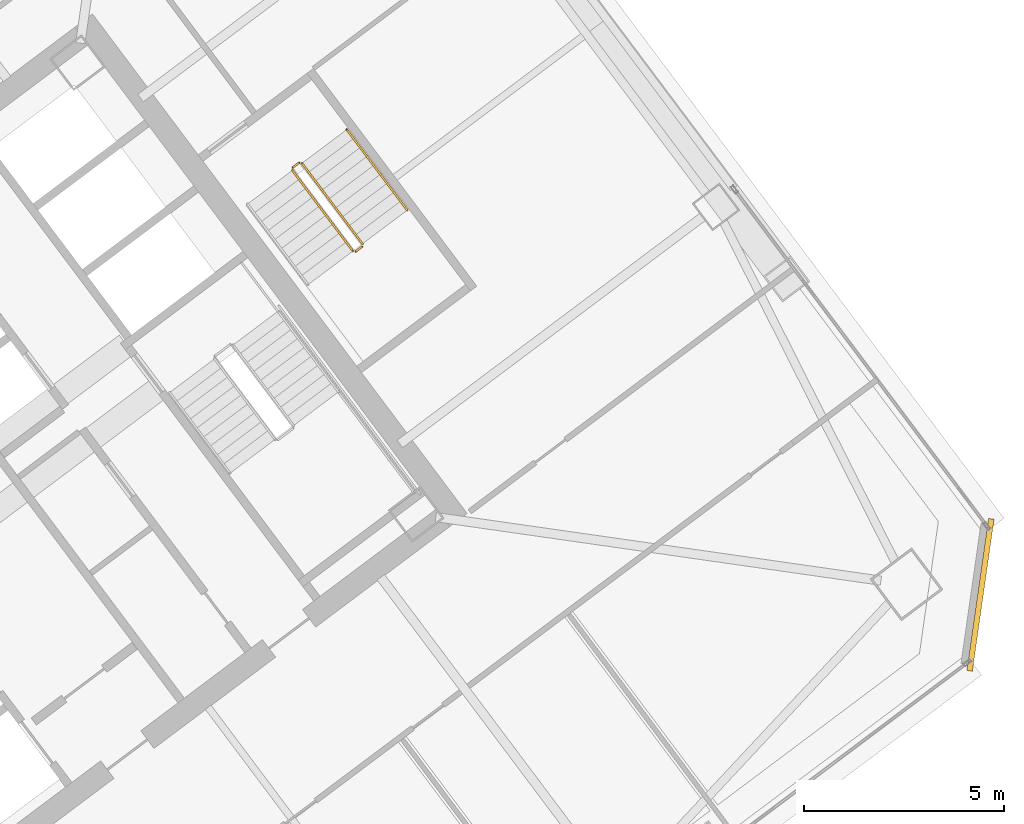
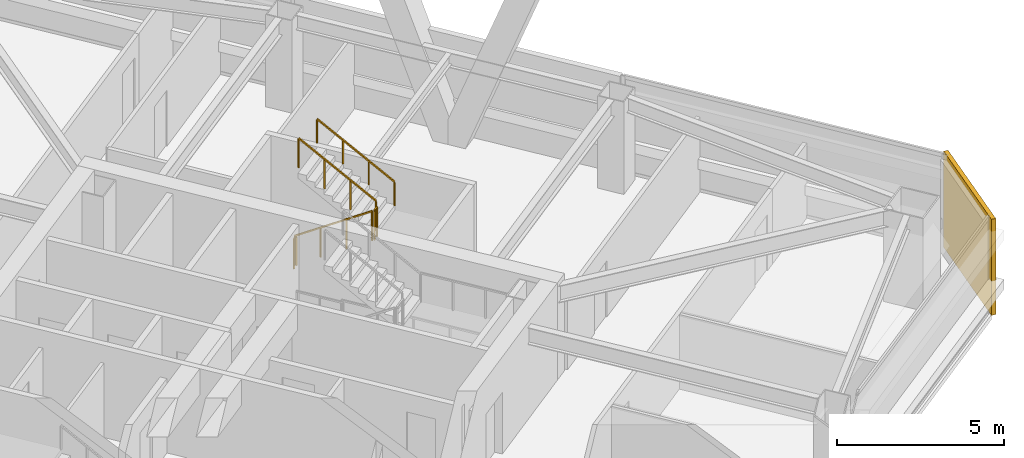
# One storey, part 49 of 50: 5 railings, 1 covering.
"""IFC4 building model written with IfcOpenShell, lengths in metres."""

from ifc_helpers import new_model, si_unit, direction, frame, origin, origin_2d, place, context, subcontext, project, spatial, rectangle, extrude, material, layer, layer_set, type_object, element, save


model = new_model("IFC4")

# Units and contexts
model_context = context("Model", 3, precision=1e-05, world=origin(), true_north=direction((0.0, 1.0)))
body_context = subcontext(model_context, "Body", "Model", "MODEL_VIEW")
ifc_project = project(units=[si_unit("LENGTHUNIT", "METRE"), si_unit("AREAUNIT", "SQUARE_METRE"), si_unit("VOLUMEUNIT", "CUBIC_METRE"), si_unit("PLANEANGLEUNIT", "RADIAN"), si_unit("MASSUNIT", "GRAM", prefix="KILO")], contexts=[model_context])

# Site, building, storey
site_placement = place(None, origin())
site = spatial("IfcSite", under=ifc_project, at=site_placement, CompositionType="ELEMENT")
building_placement = place(site_placement, origin())
building = spatial("IfcBuilding", under=site, at=building_placement, Name="Tashvorn Skyway Center", CompositionType="ELEMENT")
storey_placement = place(building_placement, frame((0.0, 0.0, 114.39990234375)))
storey = spatial("IfcBuildingStorey", under=building, at=storey_placement, Name="L30", CompositionType="ELEMENT", Elevation=114.39990234375)

# Covering
ifc_material_1 = material(Name="Precast concrete C40/50", Category="concrete")
ifc_layer = layer(ifc_material_1, 0.35009765625)
ifc_layer_set = layer_set([ifc_layer], Name="Precast concrete C40/50")
covering_type = type_object("IfcCoveringType", Name="COV-STONE-TRIM", PredefinedType="CLADDING", material=ifc_layer_set)
covering_placement = place(storey_placement, frame((137.968017578125, 28.575927734375, 0.02001953125), z_axis=(0.0, 0.0, 1.0), x_axis=(0.141421350118, 0.989949494535, 0.0)))
element("IfcCovering", 1, at=covering_placement, inside=storey, type_object=covering_type, Name="Tower 2 L30 SE Mojave Limestone Corner Quoin", PredefinedType="CLADDING", context=body_context, shape_type="SweptSolid", body=[
    extrude(rectangle(XDim=3.8369140625, YDim=0.139892578125, at=origin_2d()), origin(), (0.0, 0.0, 1.0), 3.510009765625),
])

# Railings
ifc_material_2 = material(Name="Brushed stainless steel 316", Category="steel")
railing_type_1 = type_object("IfcRailingType", Name="RAIL-HAND-920", PredefinedType="HANDRAIL", material=ifc_material_2)
railing_1_placement = place(storey_placement, frame((123.64794921875, 38.18603515625, 1.95263671875)))
element("IfcRailing", 2, at=railing_1_placement, inside=storey, type_object=railing_type_1, Name="L30 ST-T2-3 stair handrail 2", PredefinedType="HANDRAIL", context=body_context, shape_type="SweptSolid", body=[
    extrude(rectangle(XDim=0.048095703125, YDim=0.048095703125, at=origin_2d()), frame((0.0, 0.0, 0.8759765625), z_axis=(-0.506768818287, 0.675664481285, 0.535409071218), x_axis=(-0.79998837352, -0.60001550166, 0.0)), (0.0, 0.0, 1.0), 2.983642578125),
    extrude(rectangle(XDim=0.0419921875, YDim=0.0419921875, at=origin_2d()), origin(), (0.0, 0.0, 1.0), 0.851806640625),
    extrude(rectangle(XDim=0.0419921875, YDim=0.0419921875, at=origin_2d()), frame((-0.50390625, 0.671875, 0.532470703125)), (0.0, 0.0, 1.0), 0.851806640625),
    extrude(rectangle(XDim=0.0419921875, YDim=0.0419921875, at=origin_2d()), frame((-1.008056640625, 1.343994140625, 1.06494140625)), (0.0, 0.0, 1.0), 0.851806640625),
    extrude(rectangle(XDim=0.0419921875, YDim=0.0419921875, at=origin_2d()), frame((-1.511962890625, 2.015869140625, 1.597412109375)), (0.0, 0.0, 1.0), 0.851806640625),
])
ifc_material_3 = material(Name="Painted galvanized steel S355", Category="steel")
railing_type_2 = type_object("IfcRailingType", Name="RAIL-STGUARD-1100", PredefinedType="GUARDRAIL", material=ifc_material_3)
railing_2_placement = place(storey_placement, frame((120.77587890625, 39.181884765625, 0.177490234375)))
element("IfcRailing", 3, at=railing_2_placement, inside=storey, type_object=railing_type_2, Name="L30 ST-T2-3 stair guard 1", PredefinedType="GUARDRAIL", context=body_context, shape_type="SweptSolid", body=[
    extrude(rectangle(XDim=0.048095703125, YDim=0.048095703125, at=origin_2d()), frame((0.0, 0.0, 1.076171875), z_axis=(0.506807425148, -0.675606863004, 0.535445235739), x_axis=(0.799941867976, 0.600077501544, 0.0)), (0.0, 0.0, 1.0), 2.98388671875),
    extrude(rectangle(XDim=0.0419921875, YDim=0.0419921875, at=origin_2d()), origin(), (0.0, 0.0, 1.0), 1.052001953125),
    extrude(rectangle(XDim=0.0419921875, YDim=0.0419921875, at=origin_2d()), frame((0.504150390625, -0.671875, 0.532470703125)), (0.0, 0.0, 1.0), 1.052001953125),
    extrude(rectangle(XDim=0.0419921875, YDim=0.0419921875, at=origin_2d()), frame((1.008056640625, -1.343994140625, 1.065185546875)), (0.0, 0.0, 1.0), 1.052001953125),
    extrude(rectangle(XDim=0.0419921875, YDim=0.0419921875, at=origin_2d()), frame((1.51220703125, -2.015869140625, 1.59765625)), (0.0, 0.0, 1.0), 1.052001953125),
])
railing_3_placement = place(storey_placement, frame((122.35791015625, 37.156005859375, 1.775146484375)))
element("IfcRailing", 4, at=railing_3_placement, inside=storey, type_object=railing_type_2, Name="L30 ST-T2-3 stair guard 2", PredefinedType="GUARDRAIL", context=body_context, shape_type="SweptSolid", body=[
    extrude(rectangle(XDim=0.048095703125, YDim=0.048095703125, at=origin_2d()), frame((0.0, 0.0, 1.076171875), z_axis=(0.800585412921, 0.599218655098, 0.0), x_axis=(-0.599218655098, 0.800585412921, 0.0)), (0.0, 0.0, 1.0), 0.199951171875),
    extrude(rectangle(XDim=0.0419921875, YDim=0.0419921875, at=origin_2d()), origin(), (0.0, 0.0, 1.0), 1.052001953125),
    extrude(rectangle(XDim=0.0419921875, YDim=0.0419921875, at=origin_2d()), frame((0.16015625, 0.119873046875, 0.0)), (0.0, 0.0, 1.0), 1.052001953125),
])
railing_4_placement = place(storey_placement, frame((122.528076171875, 37.345947265625, 1.95263671875)))
element("IfcRailing", 5, at=railing_4_placement, inside=storey, type_object=railing_type_2, Name="L30 ST-T2-3 stair guard 3", PredefinedType="GUARDRAIL", context=body_context, shape_type="SweptSolid", body=[
    extrude(rectangle(XDim=0.048095703125, YDim=0.048095703125, at=origin_2d()), frame((0.0, 0.0, 1.076171875), z_axis=(-0.506740800098, 0.675708949977, 0.535379469569), x_axis=(-0.800023250257, -0.599968998406, 0.0)), (0.0, 0.0, 1.0), 2.983642578125),
    extrude(rectangle(XDim=0.0419921875, YDim=0.0419921875, at=origin_2d()), origin(), (0.0, 0.0, 1.0), 1.052001953125),
    extrude(rectangle(XDim=0.0419921875, YDim=0.0419921875, at=origin_2d()), frame((-0.50390625, 0.672119140625, 0.532470703125)), (0.0, 0.0, 1.0), 1.052001953125),
    extrude(rectangle(XDim=0.0419921875, YDim=0.0419921875, at=origin_2d()), frame((-1.008056640625, 1.343994140625, 1.06494140625)), (0.0, 0.0, 1.0), 1.052001953125),
    extrude(rectangle(XDim=0.0419921875, YDim=0.0419921875, at=origin_2d()), frame((-1.511962890625, 2.01611328125, 1.597412109375)), (0.0, 0.0, 1.0), 1.052001953125),
])
railing_5_placement = place(storey_placement, frame((120.785888671875, 39.251953125, 0.0)))
element("IfcRailing", 6, at=railing_5_placement, inside=storey, type_object=railing_type_2, Name="L30 ST-T2-3 stair guard 4", PredefinedType="GUARDRAIL", context=body_context, shape_type="SweptSolid", body=[
    extrude(rectangle(XDim=0.048095703125, YDim=0.048095703125, at=origin_2d()), frame((0.0, 0.0, 1.076171875), z_axis=(0.8, 0.6, 0.0), x_axis=(-0.6, 0.8, 0.0)), (0.0, 0.0, 1.0), 0.2001953125),
    extrude(rectangle(XDim=0.0419921875, YDim=0.0419921875, at=origin_2d()), origin(), (0.0, 0.0, 1.0), 1.052001953125),
    extrude(rectangle(XDim=0.0419921875, YDim=0.0419921875, at=origin_2d()), frame((0.16015625, 0.1201171875, 0.0)), (0.0, 0.0, 1.0), 1.052001953125),
])

save(model, "model.ifc")
